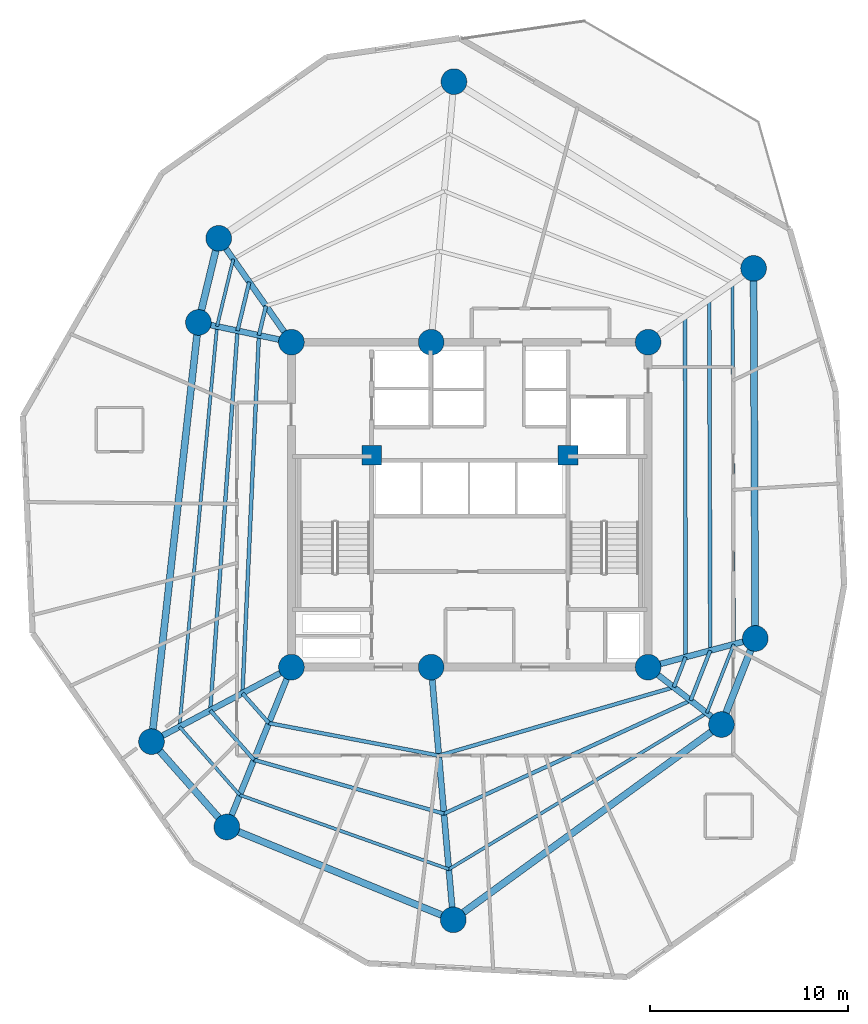
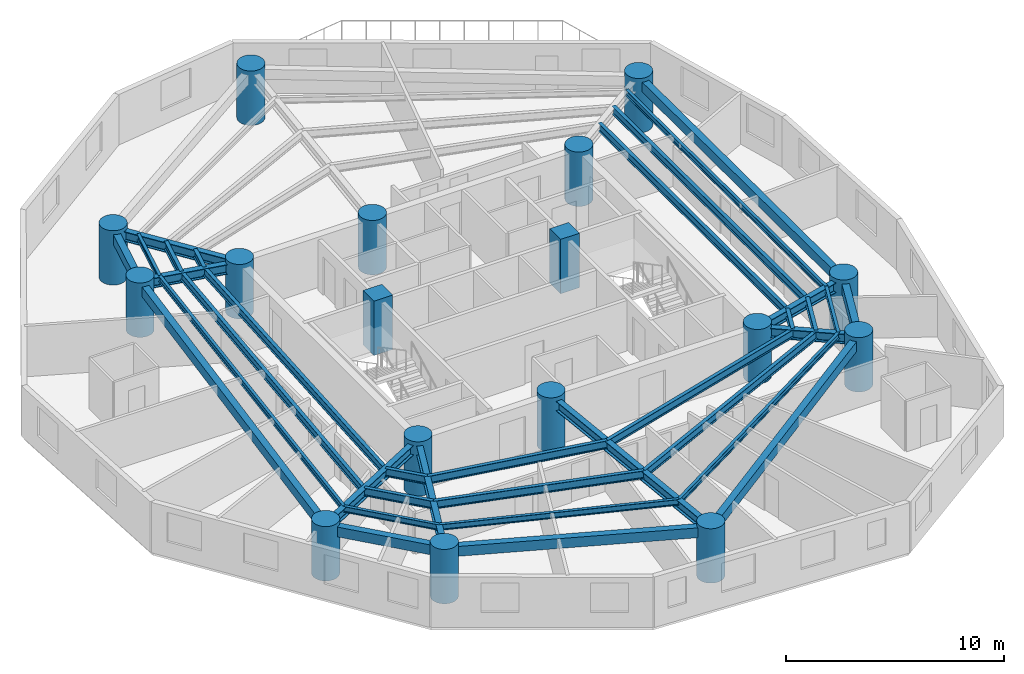
# One storey, part 1 of 7: 35 beams, 17 columns.
"""IFC4 building model written with IfcOpenShell, lengths in metres."""

from ifc_helpers import new_model, si_unit, direction, frame, origin, origin_with_axes, origin_2d, place, context, subcontext, project, spatial, rectangle, circle, i_section, extrude, source, transform, mapped, material, material_profile, profile_set, type_object, element, save


model = new_model("IFC4")

# Units and contexts
model_context = context("Model", 3, precision=1e-05, world=origin(), true_north=direction((0.0, 1.0)))
body_context = subcontext(model_context, "Body", "Model", "MODEL_VIEW")
ifc_project = project(units=[si_unit("LENGTHUNIT", "METRE"), si_unit("AREAUNIT", "SQUARE_METRE"), si_unit("VOLUMEUNIT", "CUBIC_METRE"), si_unit("PLANEANGLEUNIT", "RADIAN"), si_unit("MASSUNIT", "GRAM", prefix="KILO")], contexts=[model_context])

# Site, building, storey
site_placement = place(None, origin())
site = spatial("IfcSite", under=ifc_project, at=site_placement, CompositionType="ELEMENT")
building_placement = place(site_placement, origin())
building = spatial("IfcBuilding", under=site, at=building_placement, Name="Karkom Vertical University and Central Library", CompositionType="ELEMENT")
storey_placement = place(building_placement, frame((0.0, 0.0, 193.14990234375)))
storey = spatial("IfcBuildingStorey", under=building, at=storey_placement, Name="L56", CompositionType="ELEMENT", Elevation=193.14990234375)

# Columns
ifc_material_1 = material(Name="Concrete C50/60", Category="concrete")
ifc_material_profile_1 = material_profile(ifc_material_1, circle(Radius=0.64990234375, at=origin_2d()), Name="CFT-D1300")
ifc_profile_set_1 = profile_set([ifc_material_profile_1], Name="Concrete C50/60")
column_type_1 = type_object("IfcColumnType", Name="STR-COL-C-SC4", PredefinedType="COLUMN", material=ifc_profile_set_1)
shared_shape_1 = source(origin_with_axes(), body_context, "Body", "SweptSolid", [
    extrude(circle(Radius=0.64990234375, at=origin_2d()), origin(), (0.0, 0.0, 1.0), 3.050048828125),
])
for number, where, z_axis, x_axis, name in (
    (1, (19.5, 18.300048828125, 0.0), (0.0, 0.0, 1.0), (1.0, 0.0, 0.0), "Level 56 Spine Mega-Column SC-1"),
    (2, (26.550048828125, 18.300048828125, 0.0), (0.0, 0.0, 1.0), (1.0, 0.0, 0.0), "Level 56 Spine Mega-Column SC-2"),
    (3, (37.5, 18.300048828125, 0.0), (0.0, 0.0, 1.0), (1.0, 0.0, 0.0), "Level 56 Spine Mega-Column SC-3"),
    (4, (19.5, 34.699951171875, 0.0), (0.0, 0.0, 1.0), (1.0, 0.0, 0.0), "Level 56 Spine Mega-Column SC-4"),
    (5, (26.550048828125, 34.699951171875, 0.0), (0.0, 0.0, 1.0), (1.0, 0.0, 0.0), "Level 56 Spine Mega-Column SC-5"),
    (6, (37.5, 34.699951171875, 0.0), (0.0, 0.0, 1.0), (1.0, 0.0, 0.0), "Level 56 Spine Mega-Column SC-6"),
    (7, (42.908935546875, 19.7490234375, 0.0), (0.0, 0.0, 1.0), (1.0, 0.0, 0.0), "Level 56 Perimeter Mega-Column Z3-PC1"),
    (8, (42.823974609375, 38.427978515625, 0.0), (0.0, 0.0, 1.0), (1.0, 0.0, 0.0), "Level 56 Perimeter Mega-Column Z3-PC2"),
    (9, (27.699951171875, 47.85009765625, 0.0), (0.0, 0.0, 1.0), (1.0, 0.0, 0.0), "Level 56 Perimeter Mega-Column Z3-PC3"),
    (10, (15.8291015625, 39.943115234375, 0.0), (0.0, 0.0, 1.0), (1.0, 0.0, 0.0), "Level 56 Perimeter Mega-Column Z3-PC4"),
    (11, (14.804931640625, 35.697998046875, 0.0), (0.0, 0.0, 1.0), (1.0, 0.0, 0.0), "Level 56 Perimeter Mega-Column Z3-PC5"),
    (12, (12.43603515625, 14.5439453125, 0.0), (0.0, 0.0, 1.0), (1.0, 0.0, 0.0), "Level 56 Perimeter Mega-Column Z3-PC6"),
    (13, (16.240966796875, 10.23388671875, 0.0), (0.0, 0.0, 1.0), (1.0, 0.0, 0.0), "Level 56 Perimeter Mega-Column Z3-PC7"),
    (14, (27.666015625, 5.549072265625, 0.0), (0.0, 0.0, 1.0), (1.0, 0.0, 0.0), "Level 56 Perimeter Mega-Column Z3-PC8"),
    (15, (41.2041015625, 15.406005859375, 0.0), (0.0, 0.0, 1.0), (1.0, 0.0, 0.0), "Level 56 Perimeter Mega-Column Z3-PC9"),
):
    element("IfcColumn", number, at=place(storey_placement, frame(where, z_axis=z_axis, x_axis=x_axis)), inside=storey, type_object=column_type_1, Name=name, PredefinedType="COLUMN", context=body_context, shape_type="MappedRepresentation", body=[
        mapped(shared_shape_1, transform((0.0, 0.0, 0.0), scale=1.0)),
    ])
ifc_material_profile_2 = material_profile(ifc_material_1, rectangle(XDim=1.0, YDim=1.0, at=origin_2d()), Name="RC-1000x1000")
ifc_profile_set_2 = profile_set([ifc_material_profile_2], Name="Concrete C50/60")
column_type_2 = type_object("IfcColumnType", Name="STR-COL-C-CC2", PredefinedType="COLUMN", material=ifc_profile_set_2)
shared_shape_2 = source(origin_with_axes(), body_context, "Body", "SweptSolid", [
    extrude(rectangle(XDim=1.0, YDim=1.0, at=origin_2d()), origin(), (0.0, 0.0, 1.0), 3.050048828125),
])
for number, where, z_axis, x_axis, name in (
    (16, (23.550048828125, 29.0, 0.0), (0.0, 0.0, 1.0), (1.0, 0.0, 0.0), "Level 56 Core Node Column CC-1"),
    (17, (33.449951171875, 29.0, 0.0), (0.0, 0.0, 1.0), (1.0, 0.0, 0.0), "Level 56 Core Node Column CC-2"),
):
    element("IfcColumn", number, at=place(storey_placement, frame(where, z_axis=z_axis, x_axis=x_axis)), inside=storey, type_object=column_type_2, Name=name, PredefinedType="COLUMN", context=body_context, shape_type="MappedRepresentation", body=[
        mapped(shared_shape_2, transform((0.0, 0.0, 0.0), scale=1.0)),
    ])

# Beams
ifc_material_2 = material(Name="Precast concrete C45/55", Category="concrete")
ifc_material_profile_3 = material_profile(ifc_material_2, rectangle(XDim=0.35009765625, YDim=0.550048828125, at=origin_2d()), Name="SPB-350x550")
ifc_profile_set_3 = profile_set([ifc_material_profile_3], Name="Precast concrete C45/55")
beam_type_1 = type_object("IfcBeamType", Name="STR-BM-SP-2", PredefinedType="SPANDREL", material=ifc_profile_set_3)
shared_shape_3 = source(origin_with_axes(), body_context, "Body", "SweptSolid", [
    extrude(rectangle(XDim=0.35009765625, YDim=0.550048828125, at=origin_2d()), origin(), (0.0, 0.0, 1.0), 18.67919921875),
])
beam_1_placement = place(storey_placement, frame((42.908935546875, 19.7490234375, 2.550048828125), z_axis=(-0.004548437442, 0.999989655805, 0.0), x_axis=(-0.999989655805, -0.004548437442, 0.0)))
element("IfcBeam", 18, at=beam_1_placement, inside=storey, type_object=beam_type_1, Name="Level 56 Perimeter Spandrel Beam 01", PredefinedType="SPANDREL", context=body_context, shape_type="MappedRepresentation", body=[
    mapped(shared_shape_3, transform((0.0, 0.0, 0.0), scale=1.0)),
])
shared_shape_4 = source(origin_with_axes(), body_context, "Body", "SweptSolid", [
    extrude(rectangle(XDim=0.35009765625, YDim=0.550048828125, at=origin_2d()), origin(), (0.0, 0.0, 1.0), 4.366943359375),
])
beam_2_placement = place(storey_placement, frame((15.8291015625, 39.943115234375, 2.550048828125), z_axis=(-0.234529408772, -0.972109024966, 0.0), x_axis=(0.972109024966, -0.234529408772, 0.0)))
element("IfcBeam", 19, at=beam_2_placement, inside=storey, type_object=beam_type_1, Name="Level 56 Perimeter Spandrel Beam 04", PredefinedType="SPANDREL", context=body_context, shape_type="MappedRepresentation", body=[
    mapped(shared_shape_4, transform((0.0, 0.0, 0.0), scale=1.0)),
])
shared_shape_5 = source(origin_with_axes(), body_context, "Body", "SweptSolid", [
    extrude(rectangle(XDim=0.35009765625, YDim=0.550048828125, at=origin_2d()), origin(), (0.0, 0.0, 1.0), 21.286376953125),
])
beam_3_placement = place(storey_placement, frame((14.804931640625, 35.697998046875, 2.550048828125), z_axis=(-0.111287493264, -0.993788254028, 0.0), x_axis=(0.993788254028, -0.111287493264, 0.0)))
element("IfcBeam", 20, at=beam_3_placement, inside=storey, type_object=beam_type_1, Name="Level 56 Perimeter Spandrel Beam 05", PredefinedType="SPANDREL", context=body_context, shape_type="MappedRepresentation", body=[
    mapped(shared_shape_5, transform((0.0, 0.0, 0.0), scale=1.0)),
])
shared_shape_6 = source(origin_with_axes(), body_context, "Body", "SweptSolid", [
    extrude(rectangle(XDim=0.35009765625, YDim=0.550048828125, at=origin_2d()), origin(), (0.0, 0.0, 1.0), 5.749267578125),
])
beam_4_placement = place(storey_placement, frame((12.43603515625, 14.5439453125, 2.550048828125), z_axis=(0.661811219671, -0.74967053398, 0.0), x_axis=(0.74967053398, 0.661811219671, 0.0)))
element("IfcBeam", 21, at=beam_4_placement, inside=storey, type_object=beam_type_1, Name="Level 56 Perimeter Spandrel Beam 06", PredefinedType="SPANDREL", context=body_context, shape_type="MappedRepresentation", body=[
    mapped(shared_shape_6, transform((0.0, 0.0, 0.0), scale=1.0)),
])
shared_shape_7 = source(origin_with_axes(), body_context, "Body", "SweptSolid", [
    extrude(rectangle(XDim=0.35009765625, YDim=0.550048828125, at=origin_2d()), origin(), (0.0, 0.0, 1.0), 12.34814453125),
])
beam_5_placement = place(storey_placement, frame((16.240966796875, 10.23388671875, 2.550048828125), z_axis=(0.925236428984, -0.37939102583, 0.0), x_axis=(0.37939102583, 0.925236428984, 0.0)))
element("IfcBeam", 22, at=beam_5_placement, inside=storey, type_object=beam_type_1, Name="Level 56 Perimeter Spandrel Beam 07", PredefinedType="SPANDREL", context=body_context, shape_type="MappedRepresentation", body=[
    mapped(shared_shape_7, transform((0.0, 0.0, 0.0), scale=1.0)),
])
shared_shape_8 = source(origin_with_axes(), body_context, "Body", "SweptSolid", [
    extrude(rectangle(XDim=0.35009765625, YDim=0.550048828125, at=origin_2d()), origin(), (0.0, 0.0, 1.0), 16.746337890625),
])
beam_6_placement = place(storey_placement, frame((27.666015625, 5.549072265625, 2.550048828125), z_axis=(0.808422013284, 0.588603303115, 0.0), x_axis=(-0.588603303115, 0.808422013284, 0.0)))
element("IfcBeam", 23, at=beam_6_placement, inside=storey, type_object=beam_type_1, Name="Level 56 Perimeter Spandrel Beam 08", PredefinedType="SPANDREL", context=body_context, shape_type="MappedRepresentation", body=[
    mapped(shared_shape_8, transform((0.0, 0.0, 0.0), scale=1.0)),
])
shared_shape_9 = source(origin_with_axes(), body_context, "Body", "SweptSolid", [
    extrude(rectangle(XDim=0.35009765625, YDim=0.550048828125, at=origin_2d()), origin(), (0.0, 0.0, 1.0), 4.66552734375),
])
beam_7_placement = place(storey_placement, frame((41.2041015625, 15.406005859375, 2.550048828125), z_axis=(0.365401419454, 0.930850043058, 0.0), x_axis=(-0.930850043058, 0.365401419454, 0.0)))
element("IfcBeam", 24, at=beam_7_placement, inside=storey, type_object=beam_type_1, Name="Level 56 Perimeter Spandrel Beam 09", PredefinedType="SPANDREL", context=body_context, shape_type="MappedRepresentation", body=[
    mapped(shared_shape_9, transform((0.0, 0.0, 0.0), scale=1.0)),
])
ifc_material_3 = material(Name="Steel S355", Category="steel")
ifc_material_profile_4 = material_profile(ifc_material_3, i_section(OverallWidth=0.18994140625, OverallDepth=0.449951171875, WebThickness=0.009521484375, FlangeThickness=0.0146484375, FilletRadius=0.02099609375, at=origin_2d()), Name="IPE 450")
ifc_profile_set_4 = profile_set([ifc_material_profile_4], Name="Steel S355")
beam_type_2 = type_object("IfcBeamType", Name="STR-BM-SB-IPE450", PredefinedType="BEAM", material=ifc_profile_set_4)
shared_shape_10 = source(origin_with_axes(), body_context, "Body", "SweptSolid", [
    extrude(i_section(OverallWidth=0.18994140625, OverallDepth=0.449951171875, WebThickness=0.009521484375, FlangeThickness=0.0146484375, FilletRadius=0.02099609375, at=origin_2d()), origin(), (0.0, 0.0, 1.0), 17.19775390625),
])
beam_8_placement = place(storey_placement, frame((39.39306640625, 18.80712890625, 2.60009765625), z_axis=(-0.001731918699, 0.999998500228, 0.0), x_axis=(-0.999998500228, -0.001731918699, 0.0)))
element("IfcBeam", 25, at=beam_8_placement, inside=storey, type_object=beam_type_2, Name="Level 56 Secondary Composite Floor Beam 1.01", PredefinedType="BEAM", context=body_context, shape_type="MappedRepresentation", body=[
    mapped(shared_shape_10, transform((0.0, 0.0, 0.0), scale=1.0)),
])
shared_shape_11 = source(origin_with_axes(), body_context, "Body", "SweptSolid", [
    extrude(i_section(OverallWidth=0.18994140625, OverallDepth=0.449951171875, WebThickness=0.009521484375, FlangeThickness=0.0146484375, FilletRadius=0.02099609375, at=origin_2d()), origin(), (0.0, 0.0, 1.0), 1.5283203125),
])
beam_9_placement = place(storey_placement, frame((18.215087890625, 36.534912109375, 2.60009765625), z_axis=(-0.234520804587, -0.972111100757, 0.0), x_axis=(0.972111100757, -0.234520804587, 0.0)))
element("IfcBeam", 26, at=beam_9_placement, inside=storey, type_object=beam_type_2, Name="Level 56 Secondary Composite Floor Beam 1.04", PredefinedType="BEAM", context=body_context, shape_type="MappedRepresentation", body=[
    mapped(shared_shape_11, transform((0.0, 0.0, 0.0), scale=1.0)),
])
shared_shape_12 = source(origin_with_axes(), body_context, "Body", "SweptSolid", [
    extrude(i_section(OverallWidth=0.18994140625, OverallDepth=0.449951171875, WebThickness=0.009521484375, FlangeThickness=0.0146484375, FilletRadius=0.02099609375, at=origin_2d()), origin(), (0.0, 0.0, 1.0), 18.0830078125),
])
beam_10_placement = place(storey_placement, frame((17.856689453125, 35.04931640625, 2.60009765625), z_axis=(-0.04584982532, -0.998948343769, 0.0), x_axis=(0.998948343769, -0.04584982532, 0.0)))
element("IfcBeam", 27, at=beam_10_placement, inside=storey, type_object=beam_type_2, Name="Level 56 Secondary Composite Floor Beam 1.05", PredefinedType="BEAM", context=body_context, shape_type="MappedRepresentation", body=[
    mapped(shared_shape_12, transform((0.0, 0.0, 0.0), scale=1.0)),
])
shared_shape_13 = source(origin_with_axes(), body_context, "Body", "SweptSolid", [
    extrude(i_section(OverallWidth=0.18994140625, OverallDepth=0.449951171875, WebThickness=0.009521484375, FlangeThickness=0.0146484375, FilletRadius=0.02099609375, at=origin_2d()), origin(), (0.0, 0.0, 1.0), 2.01220703125),
])
beam_11_placement = place(storey_placement, frame((17.027587890625, 16.9853515625, 2.60009765625), z_axis=(0.661822246424, -0.749660799387, 0.0), x_axis=(0.749660799387, 0.661822246424, 0.0)))
element("IfcBeam", 28, at=beam_11_placement, inside=storey, type_object=beam_type_2, Name="Level 56 Secondary Composite Floor Beam 1.06", PredefinedType="BEAM", context=body_context, shape_type="MappedRepresentation", body=[
    mapped(shared_shape_13, transform((0.0, 0.0, 0.0), scale=1.0)),
])
shared_shape_14 = source(origin_with_axes(), body_context, "Body", "SweptSolid", [
    extrude(i_section(OverallWidth=0.18994140625, OverallDepth=0.449951171875, WebThickness=0.009521484375, FlangeThickness=0.0146484375, FilletRadius=0.02099609375, at=origin_2d()), origin(), (0.0, 0.0, 1.0), 8.736572265625),
])
beam_12_placement = place(storey_placement, frame((18.359375, 15.476806640625, 2.60009765625), z_axis=(0.982230782932, -0.187677087205, 0.0), x_axis=(0.187677087205, 0.982230782932, 0.0)))
element("IfcBeam", 29, at=beam_12_placement, inside=storey, type_object=beam_type_2, Name="Level 56 Secondary Composite Floor Beam 1.07", PredefinedType="BEAM", context=body_context, shape_type="MappedRepresentation", body=[
    mapped(shared_shape_14, transform((0.0, 0.0, 0.0), scale=1.0)),
])
shared_shape_15 = source(origin_with_axes(), body_context, "Body", "SweptSolid", [
    extrude(i_section(OverallWidth=0.18994140625, OverallDepth=0.449951171875, WebThickness=0.009521484375, FlangeThickness=0.0146484375, FilletRadius=0.02099609375, at=origin_2d()), origin(), (0.0, 0.0, 1.0), 12.347412109375),
])
beam_13_placement = place(storey_placement, frame((26.940673828125, 13.837158203125, 2.60009765625), z_axis=(0.960173212987, 0.279405442077, 0.0), x_axis=(-0.279405442077, 0.960173212987, 0.0)))
element("IfcBeam", 30, at=beam_13_placement, inside=storey, type_object=beam_type_2, Name="Level 56 Secondary Composite Floor Beam 1.08", PredefinedType="BEAM", context=body_context, shape_type="MappedRepresentation", body=[
    mapped(shared_shape_15, transform((0.0, 0.0, 0.0), scale=1.0)),
])
shared_shape_16 = source(origin_with_axes(), body_context, "Body", "SweptSolid", [
    extrude(i_section(OverallWidth=0.18994140625, OverallDepth=0.449951171875, WebThickness=0.009521484375, FlangeThickness=0.0146484375, FilletRadius=0.02099609375, at=origin_2d()), origin(), (0.0, 0.0, 1.0), 1.633056640625),
])
beam_14_placement = place(storey_placement, frame((38.79638671875, 17.287109375, 2.60009765625), z_axis=(0.365402570083, 0.930849591382, 0.0), x_axis=(-0.930849591382, 0.365402570083, 0.0)))
element("IfcBeam", 31, at=beam_14_placement, inside=storey, type_object=beam_type_2, Name="Level 56 Secondary Composite Floor Beam 1.09", PredefinedType="BEAM", context=body_context, shape_type="MappedRepresentation", body=[
    mapped(shared_shape_16, transform((0.0, 0.0, 0.0), scale=1.0)),
])
shared_shape_17 = source(origin_with_axes(), body_context, "Body", "SweptSolid", [
    extrude(i_section(OverallWidth=0.18994140625, OverallDepth=0.449951171875, WebThickness=0.009521484375, FlangeThickness=0.0146484375, FilletRadius=0.02099609375, at=origin_2d()), origin(), (0.0, 0.0, 1.0), 17.721923828125),
])
beam_15_placement = place(storey_placement, frame((40.63720703125, 19.140380859375, 2.60009765625), z_axis=(-0.002782780006, 0.99999612806, 0.0), x_axis=(-0.99999612806, -0.002782780006, 0.0)))
element("IfcBeam", 32, at=beam_15_placement, inside=storey, type_object=beam_type_2, Name="Level 56 Secondary Composite Floor Beam 2.01", PredefinedType="BEAM", context=body_context, shape_type="MappedRepresentation", body=[
    mapped(shared_shape_17, transform((0.0, 0.0, 0.0), scale=1.0)),
])
shared_shape_18 = source(origin_with_axes(), body_context, "Body", "SweptSolid", [
    extrude(i_section(OverallWidth=0.18994140625, OverallDepth=0.449951171875, WebThickness=0.009521484375, FlangeThickness=0.0146484375, FilletRadius=0.02099609375, at=origin_2d()), origin(), (0.0, 0.0, 1.0), 2.53271484375),
])
beam_16_placement = place(storey_placement, frame((17.370849609375, 37.740966796875, 2.60009765625), z_axis=(-0.234521178828, -0.972111010472, 0.0), x_axis=(0.972111010472, -0.234521178828, 0.0)))
element("IfcBeam", 33, at=beam_16_placement, inside=storey, type_object=beam_type_2, Name="Level 56 Secondary Composite Floor Beam 2.04", PredefinedType="BEAM", context=body_context, shape_type="MappedRepresentation", body=[
    mapped(shared_shape_18, transform((0.0, 0.0, 0.0), scale=1.0)),
])
shared_shape_19 = source(origin_with_axes(), body_context, "Body", "SweptSolid", [
    extrude(i_section(OverallWidth=0.18994140625, OverallDepth=0.449951171875, WebThickness=0.009521484375, FlangeThickness=0.0146484375, FilletRadius=0.02099609375, at=origin_2d()), origin(), (0.0, 0.0, 1.0), 19.20654296875),
])
beam_17_placement = place(storey_placement, frame((16.77685546875, 35.27880859375, 2.60009765625), z_axis=(-0.071539731632, -0.997437750839, 0.0), x_axis=(0.997437750839, -0.071539731632, 0.0)))
element("IfcBeam", 34, at=beam_17_placement, inside=storey, type_object=beam_type_2, Name="Level 56 Secondary Composite Floor Beam 2.05", PredefinedType="BEAM", context=body_context, shape_type="MappedRepresentation", body=[
    mapped(shared_shape_19, transform((0.0, 0.0, 0.0), scale=1.0)),
])
shared_shape_20 = source(origin_with_axes(), body_context, "Body", "SweptSolid", [
    extrude(i_section(OverallWidth=0.18994140625, OverallDepth=0.449951171875, WebThickness=0.009521484375, FlangeThickness=0.0146484375, FilletRadius=0.02099609375, at=origin_2d()), origin(), (0.0, 0.0, 1.0), 3.334716796875),
])
beam_18_placement = place(storey_placement, frame((15.40283203125, 16.12158203125, 2.60009765625), z_axis=(0.661815321502, -0.749666912852, 0.0), x_axis=(0.749666912852, 0.661815321502, 0.0)))
element("IfcBeam", 35, at=beam_18_placement, inside=storey, type_object=beam_type_2, Name="Level 56 Secondary Composite Floor Beam 2.06", PredefinedType="BEAM", context=body_context, shape_type="MappedRepresentation", body=[
    mapped(shared_shape_20, transform((0.0, 0.0, 0.0), scale=1.0)),
])
shared_shape_21 = source(origin_with_axes(), body_context, "Body", "SweptSolid", [
    extrude(i_section(OverallWidth=0.18994140625, OverallDepth=0.449951171875, WebThickness=0.009521484375, FlangeThickness=0.0146484375, FilletRadius=0.02099609375, at=origin_2d()), origin(), (0.0, 0.0, 1.0), 9.965087890625),
])
beam_19_placement = place(storey_placement, frame((17.60986328125, 13.62158203125, 2.60009765625), z_axis=(0.962104232935, -0.272681948372, 0.0), x_axis=(0.272681948372, 0.962104232935, 0.0)))
element("IfcBeam", 36, at=beam_19_placement, inside=storey, type_object=beam_type_2, Name="Level 56 Secondary Composite Floor Beam 2.07", PredefinedType="BEAM", context=body_context, shape_type="MappedRepresentation", body=[
    mapped(shared_shape_21, transform((0.0, 0.0, 0.0), scale=1.0)),
])
shared_shape_22 = source(origin_with_axes(), body_context, "Body", "SweptSolid", [
    extrude(i_section(OverallWidth=0.18994140625, OverallDepth=0.449951171875, WebThickness=0.009521484375, FlangeThickness=0.0146484375, FilletRadius=0.02099609375, at=origin_2d()), origin(), (0.0, 0.0, 1.0), 13.700927734375),
])
beam_20_placement = place(storey_placement, frame((27.197265625, 10.904296875, 2.60009765625), z_axis=(0.908771280691, 0.417294571486, 0.0), x_axis=(-0.417294571486, 0.908771280691, 0.0)))
element("IfcBeam", 37, at=beam_20_placement, inside=storey, type_object=beam_type_2, Name="Level 56 Secondary Composite Floor Beam 2.08", PredefinedType="BEAM", context=body_context, shape_type="MappedRepresentation", body=[
    mapped(shared_shape_22, transform((0.0, 0.0, 0.0), scale=1.0)),
])
shared_shape_23 = source(origin_with_axes(), body_context, "Body", "SweptSolid", [
    extrude(i_section(OverallWidth=0.18994140625, OverallDepth=0.449951171875, WebThickness=0.009521484375, FlangeThickness=0.0146484375, FilletRadius=0.02099609375, at=origin_2d()), origin(), (0.0, 0.0, 1.0), 2.7060546875),
])
beam_21_placement = place(storey_placement, frame((39.648193359375, 16.62158203125, 2.60009765625), z_axis=(0.365487674906, 0.930816179217, 0.0), x_axis=(-0.930816179217, 0.365487674906, 0.0)))
element("IfcBeam", 38, at=beam_21_placement, inside=storey, type_object=beam_type_2, Name="Level 56 Secondary Composite Floor Beam 2.09", PredefinedType="BEAM", context=body_context, shape_type="MappedRepresentation", body=[
    mapped(shared_shape_23, transform((0.0, 0.0, 0.0), scale=1.0)),
])
ifc_material_profile_5 = material_profile(ifc_material_3, i_section(OverallWidth=0.159912109375, OverallDepth=0.330078125, WebThickness=0.007568359375, FlangeThickness=0.011474609375, FilletRadius=0.01806640625, at=origin_2d()), Name="IPE 330")
ifc_profile_set_5 = profile_set([ifc_material_profile_5], Name="Steel S355")
beam_type_3 = type_object("IfcBeamType", Name="STR-BM-SB-IPE330", PredefinedType="BEAM", material=ifc_profile_set_5)
shared_shape_24 = source(origin_with_axes(), body_context, "Body", "SweptSolid", [
    extrude(i_section(OverallWidth=0.159912109375, OverallDepth=0.330078125, WebThickness=0.007568359375, FlangeThickness=0.011474609375, FilletRadius=0.01806640625, at=origin_2d()), origin(), (0.0, 0.0, 1.0), 18.223388671875),
])
beam_22_placement = place(storey_placement, frame((41.8271484375, 19.459228515625, 2.66015625), z_axis=(-0.003724418851, 0.999993064328, 0.0), x_axis=(-0.999993064328, -0.003724418851, 0.0)))
element("IfcBeam", 39, at=beam_22_placement, inside=storey, type_object=beam_type_3, Name="Level 56 Secondary Composite Floor Beam 3.01", PredefinedType="BEAM", context=body_context, shape_type="MappedRepresentation", body=[
    mapped(shared_shape_24, transform((0.0, 0.0, 0.0), scale=1.0)),
])
shared_shape_25 = source(origin_with_axes(), body_context, "Body", "SweptSolid", [
    extrude(i_section(OverallWidth=0.159912109375, OverallDepth=0.330078125, WebThickness=0.007568359375, FlangeThickness=0.011474609375, FilletRadius=0.01806640625, at=origin_2d()), origin(), (0.0, 0.0, 1.0), 3.493408203125),
])
beam_23_placement = place(storey_placement, frame((16.563232421875, 38.894287109375, 2.66015625), z_axis=(-0.234535781995, -0.972107487351, 0.0), x_axis=(0.972107487351, -0.234535781995, 0.0)))
element("IfcBeam", 40, at=beam_23_placement, inside=storey, type_object=beam_type_3, Name="Level 56 Secondary Composite Floor Beam 3.04", PredefinedType="BEAM", context=body_context, shape_type="MappedRepresentation", body=[
    mapped(shared_shape_25, transform((0.0, 0.0, 0.0), scale=1.0)),
])
shared_shape_26 = source(origin_with_axes(), body_context, "Body", "SweptSolid", [
    extrude(i_section(OverallWidth=0.159912109375, OverallDepth=0.330078125, WebThickness=0.007568359375, FlangeThickness=0.011474609375, FilletRadius=0.01806640625, at=origin_2d()), origin(), (0.0, 0.0, 1.0), 20.291748046875),
])
beam_24_placement = place(storey_placement, frame((15.743896484375, 35.498291015625, 2.66015625), z_axis=(-0.093388415244, -0.995629752417, 0.0), x_axis=(0.995629752417, -0.093388415244, 0.0)))
element("IfcBeam", 41, at=beam_24_placement, inside=storey, type_object=beam_type_3, Name="Level 56 Secondary Composite Floor Beam 3.05", PredefinedType="BEAM", context=body_context, shape_type="MappedRepresentation", body=[
    mapped(shared_shape_26, transform((0.0, 0.0, 0.0), scale=1.0)),
])
shared_shape_27 = source(origin_with_axes(), body_context, "Body", "SweptSolid", [
    extrude(i_section(OverallWidth=0.159912109375, OverallDepth=0.330078125, WebThickness=0.007568359375, FlangeThickness=0.011474609375, FilletRadius=0.01806640625, at=origin_2d()), origin(), (0.0, 0.0, 1.0), 4.599365234375),
])
beam_25_placement = place(storey_placement, frame((13.848876953125, 15.295166015625, 2.66015625), z_axis=(0.661816486801, -0.74966588411, 0.0), x_axis=(0.74966588411, 0.661816486801, 0.0)))
element("IfcBeam", 42, at=beam_25_placement, inside=storey, type_object=beam_type_3, Name="Level 56 Secondary Composite Floor Beam 3.06", PredefinedType="BEAM", context=body_context, shape_type="MappedRepresentation", body=[
    mapped(shared_shape_27, transform((0.0, 0.0, 0.0), scale=1.0)),
])
shared_shape_28 = source(origin_with_axes(), body_context, "Body", "SweptSolid", [
    extrude(i_section(OverallWidth=0.159912109375, OverallDepth=0.330078125, WebThickness=0.007568359375, FlangeThickness=0.011474609375, FilletRadius=0.01806640625, at=origin_2d()), origin(), (0.0, 0.0, 1.0), 11.196044921875),
])
beam_26_placement = place(storey_placement, frame((16.892822265625, 11.84716796875, 2.66015625), z_axis=(0.942301538336, -0.334765307119, 0.0), x_axis=(0.334765307119, 0.942301538336, 0.0)))
element("IfcBeam", 43, at=beam_26_placement, inside=storey, type_object=beam_type_3, Name="Level 56 Secondary Composite Floor Beam 3.07", PredefinedType="BEAM", context=body_context, shape_type="MappedRepresentation", body=[
    mapped(shared_shape_28, transform((0.0, 0.0, 0.0), scale=1.0)),
])
shared_shape_29 = source(origin_with_axes(), body_context, "Body", "SweptSolid", [
    extrude(i_section(OverallWidth=0.159912109375, OverallDepth=0.330078125, WebThickness=0.007568359375, FlangeThickness=0.011474609375, FilletRadius=0.01806640625, at=origin_2d()), origin(), (0.0, 0.0, 1.0), 15.22216796875),
])
beam_27_placement = place(storey_placement, frame((27.44287109375, 8.09912109375, 2.66015625), z_axis=(0.855352900974, 0.518045765155, 0.0), x_axis=(-0.518045765155, 0.855352900974, 0.0)))
element("IfcBeam", 44, at=beam_27_placement, inside=storey, type_object=beam_type_3, Name="Level 56 Secondary Composite Floor Beam 3.08", PredefinedType="BEAM", context=body_context, shape_type="MappedRepresentation", body=[
    mapped(shared_shape_29, transform((0.0, 0.0, 0.0), scale=1.0)),
])
shared_shape_30 = source(origin_with_axes(), body_context, "Body", "SweptSolid", [
    extrude(i_section(OverallWidth=0.159912109375, OverallDepth=0.330078125, WebThickness=0.007568359375, FlangeThickness=0.011474609375, FilletRadius=0.01806640625, at=origin_2d()), origin(), (0.0, 0.0, 1.0), 3.732421875),
])
beam_28_placement = place(storey_placement, frame((40.463134765625, 15.98486328125, 2.66015625), z_axis=(0.365439874109, 0.930834946922, 0.0), x_axis=(-0.930834946922, 0.365439874109, 0.0)))
element("IfcBeam", 45, at=beam_28_placement, inside=storey, type_object=beam_type_3, Name="Level 56 Secondary Composite Floor Beam 3.09", PredefinedType="BEAM", context=body_context, shape_type="MappedRepresentation", body=[
    mapped(shared_shape_30, transform((0.0, 0.0, 0.0), scale=1.0)),
])
ifc_material_profile_6 = material_profile(ifc_material_3, i_section(OverallWidth=0.300048828125, OverallDepth=0.550048828125, WebThickness=0.014892578125, FlangeThickness=0.029052734375, FilletRadius=0.027099609375, at=origin_2d()), Name="HE 550 B")
ifc_profile_set_6 = profile_set([ifc_material_profile_6], Name="Steel S355")
beam_type_4 = type_object("IfcBeamType", Name="STR-BM-SB-HE550", PredefinedType="USERDEFINED", material=ifc_profile_set_6)
shared_shape_31 = source(origin_with_axes(), body_context, "Body", "SweptSolid", [
    extrude(i_section(OverallWidth=0.300048828125, OverallDepth=0.550048828125, WebThickness=0.014892578125, FlangeThickness=0.029052734375, FilletRadius=0.027099609375, at=origin_2d()), origin(), (0.0, 0.0, 1.0), 5.599609375),
])
beam_29_placement = place(storey_placement, frame((37.5, 18.300048828125, 2.550048828125), z_axis=(0.965941240814, 0.258761510459, 0.0), x_axis=(-0.258761510459, 0.965941240814, 0.0)))
element("IfcBeam", 46, at=beam_29_placement, inside=storey, type_object=beam_type_4, Name="Level 56 Radial Frame Girder 01", ObjectType="GIRDER", PredefinedType="USERDEFINED", context=body_context, shape_type="MappedRepresentation", body=[
    mapped(shared_shape_31, transform((0.0, 0.0, 0.0), scale=1.0)),
])
shared_shape_32 = source(origin_with_axes(), body_context, "Body", "SweptSolid", [
    extrude(i_section(OverallWidth=0.300048828125, OverallDepth=0.550048828125, WebThickness=0.014892578125, FlangeThickness=0.029052734375, FilletRadius=0.027099609375, at=origin_2d()), origin(), (0.0, 0.0, 1.0), 6.400390625),
])
beam_30_placement = place(storey_placement, frame((19.5, 34.699951171875, 2.550048828125), z_axis=(-0.573534022273, 0.81918174131, 0.0), x_axis=(-0.81918174131, -0.573534022273, 0.0)))
element("IfcBeam", 47, at=beam_30_placement, inside=storey, type_object=beam_type_4, Name="Level 56 Radial Frame Girder 04", ObjectType="GIRDER", PredefinedType="USERDEFINED", context=body_context, shape_type="MappedRepresentation", body=[
    mapped(shared_shape_32, transform((0.0, 0.0, 0.0), scale=1.0)),
])
shared_shape_33 = source(origin_with_axes(), body_context, "Body", "SweptSolid", [
    extrude(i_section(OverallWidth=0.300048828125, OverallDepth=0.550048828125, WebThickness=0.014892578125, FlangeThickness=0.029052734375, FilletRadius=0.027099609375, at=origin_2d()), origin(), (0.0, 0.0, 1.0), 4.800048828125),
])
beam_31_placement = place(storey_placement, frame((19.5, 34.699951171875, 2.550048828125), z_axis=(-0.978144241295, 0.207927495108, 0.0), x_axis=(-0.207927495108, -0.978144241295, 0.0)))
element("IfcBeam", 48, at=beam_31_placement, inside=storey, type_object=beam_type_4, Name="Level 56 Radial Frame Girder 05", ObjectType="GIRDER", PredefinedType="USERDEFINED", context=body_context, shape_type="MappedRepresentation", body=[
    mapped(shared_shape_33, transform((0.0, 0.0, 0.0), scale=1.0)),
])
shared_shape_34 = source(origin_with_axes(), body_context, "Body", "SweptSolid", [
    extrude(i_section(OverallWidth=0.300048828125, OverallDepth=0.550048828125, WebThickness=0.014892578125, FlangeThickness=0.029052734375, FilletRadius=0.027099609375, at=origin_2d()), origin(), (0.0, 0.0, 1.0), 8.00048828125),
])
beam_32_placement = place(storey_placement, frame((19.5, 18.300048828125, 2.550048828125), z_axis=(-0.882941023922, -0.46948391695, 0.0), x_axis=(0.46948391695, -0.882941023922, 0.0)))
element("IfcBeam", 49, at=beam_32_placement, inside=storey, type_object=beam_type_4, Name="Level 56 Radial Frame Girder 06", ObjectType="GIRDER", PredefinedType="USERDEFINED", context=body_context, shape_type="MappedRepresentation", body=[
    mapped(shared_shape_34, transform((0.0, 0.0, 0.0), scale=1.0)),
])
shared_shape_35 = source(origin_with_axes(), body_context, "Body", "SweptSolid", [
    extrude(i_section(OverallWidth=0.300048828125, OverallDepth=0.550048828125, WebThickness=0.014892578125, FlangeThickness=0.029052734375, FilletRadius=0.027099609375, at=origin_2d()), origin(), (0.0, 0.0, 1.0), 8.69970703125),
])
beam_33_placement = place(storey_placement, frame((19.5, 18.300048828125, 2.550048828125), z_axis=(-0.374615701214, -0.927180174725, 0.0), x_axis=(0.927180174725, -0.374615701214, 0.0)))
element("IfcBeam", 50, at=beam_33_placement, inside=storey, type_object=beam_type_4, Name="Level 56 Radial Frame Girder 07", ObjectType="GIRDER", PredefinedType="USERDEFINED", context=body_context, shape_type="MappedRepresentation", body=[
    mapped(shared_shape_35, transform((0.0, 0.0, 0.0), scale=1.0)),
])
shared_shape_36 = source(origin_with_axes(), body_context, "Body", "SweptSolid", [
    extrude(i_section(OverallWidth=0.300048828125, OverallDepth=0.550048828125, WebThickness=0.014892578125, FlangeThickness=0.029052734375, FilletRadius=0.027099609375, at=origin_2d()), origin(), (0.0, 0.0, 1.0), 12.7998046875),
])
beam_34_placement = place(storey_placement, frame((26.550048828125, 18.300048828125, 2.550048828125), z_axis=(0.087186825694, -0.996191978198, 0.0), x_axis=(0.996191978198, 0.087186825694, 0.0)))
element("IfcBeam", 51, at=beam_34_placement, inside=storey, type_object=beam_type_4, Name="Level 56 Radial Frame Girder 08", ObjectType="GIRDER", PredefinedType="USERDEFINED", context=body_context, shape_type="MappedRepresentation", body=[
    mapped(shared_shape_36, transform((0.0, 0.0, 0.0), scale=1.0)),
])
shared_shape_37 = source(origin_with_axes(), body_context, "Body", "SweptSolid", [
    extrude(i_section(OverallWidth=0.300048828125, OverallDepth=0.550048828125, WebThickness=0.014892578125, FlangeThickness=0.029052734375, FilletRadius=0.027099609375, at=origin_2d()), origin(), (0.0, 0.0, 1.0), 4.70068359375),
])
beam_35_placement = place(storey_placement, frame((37.5, 18.300048828125, 2.550048828125), z_axis=(0.788002325582, -0.615672262553, 0.0), x_axis=(0.615672262553, 0.788002325582, 0.0)))
element("IfcBeam", 52, at=beam_35_placement, inside=storey, type_object=beam_type_4, Name="Level 56 Radial Frame Girder 09", ObjectType="GIRDER", PredefinedType="USERDEFINED", context=body_context, shape_type="MappedRepresentation", body=[
    mapped(shared_shape_37, transform((0.0, 0.0, 0.0), scale=1.0)),
])

save(model, "model.ifc")
